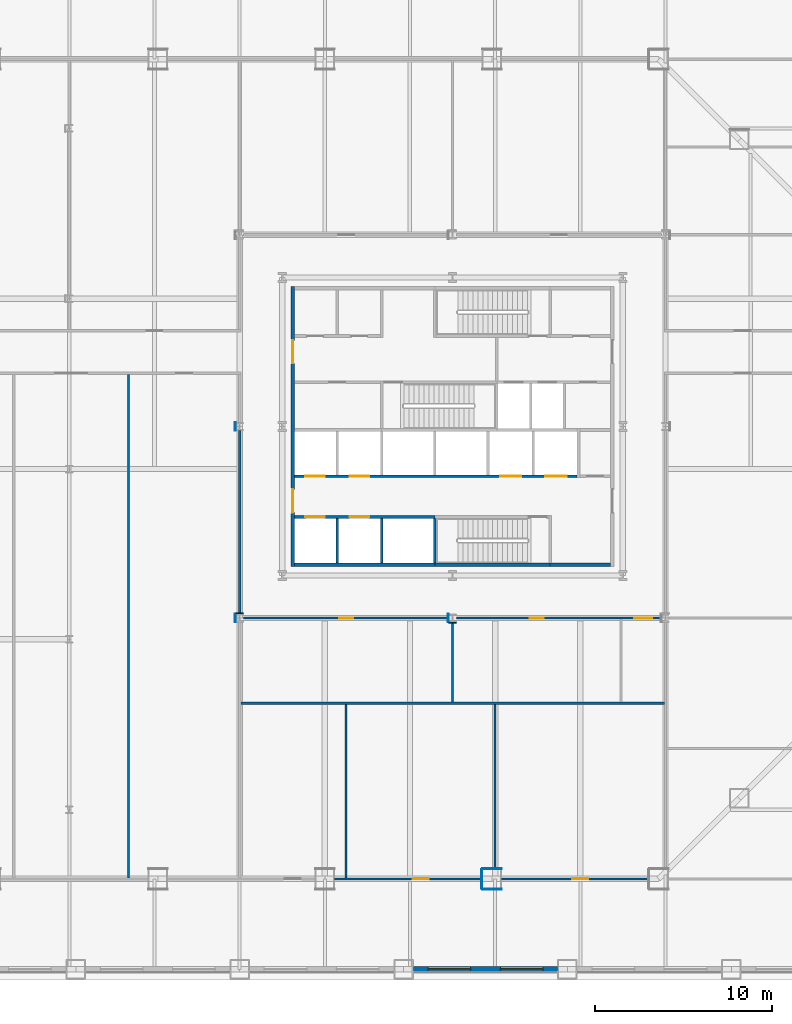
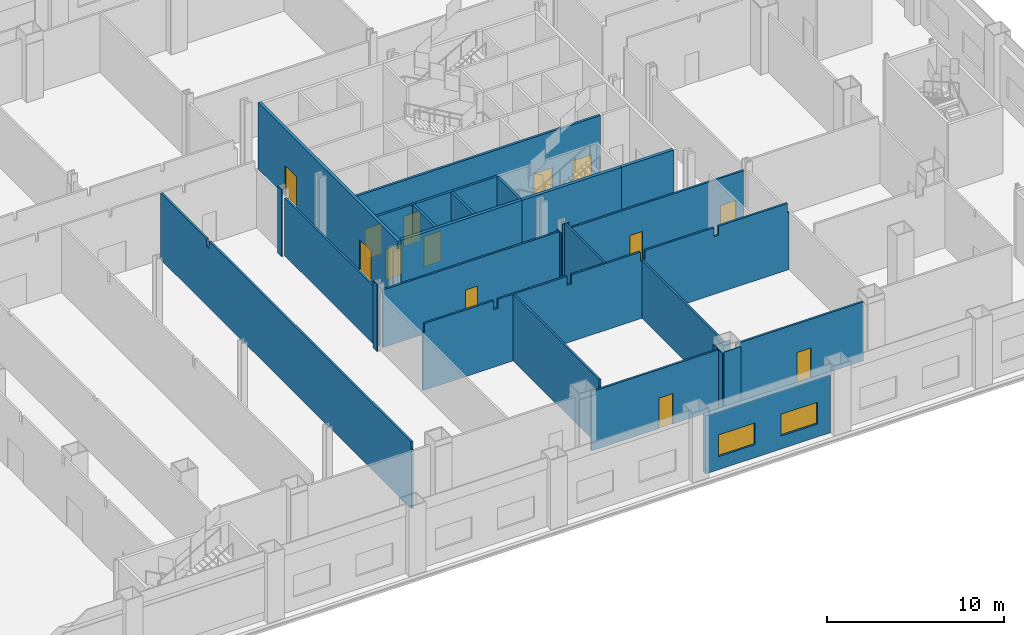
# One storey, part 13 of 26: 28 walls, 13 doors, 2 windows, 15 openings.
"""IFC4 building model written with IfcOpenShell, lengths in metres."""

from ifc_helpers import new_model, si_unit, direction, frame, frame_2d, origin, place, context, subcontext, project, spatial, polyline, rectangle, outline, extrude, material, layer, layer_set, type_object, element, fill, save


model = new_model("IFC4")

# Units and contexts
model_context = context("Model", 3, precision=1e-05, world=origin(), true_north=direction((0.0, 1.0)))
body_context = subcontext(model_context, "Body", "Model", "MODEL_VIEW")
ifc_project = project(units=[si_unit("LENGTHUNIT", "METRE"), si_unit("AREAUNIT", "SQUARE_METRE"), si_unit("VOLUMEUNIT", "CUBIC_METRE"), si_unit("PLANEANGLEUNIT", "RADIAN"), si_unit("MASSUNIT", "GRAM", prefix="KILO")], contexts=[model_context])

# Site, building, storey
site_placement = place(None, origin())
site = spatial("IfcSite", under=ifc_project, at=site_placement, CompositionType="ELEMENT")
building_placement = place(site_placement, origin())
building = spatial("IfcBuilding", under=site, at=building_placement, Name="Cairn Pilgrim Tower", CompositionType="ELEMENT")
storey_placement = place(building_placement, frame((0.0, 0.0, 25.800048828125)))
storey = spatial("IfcBuildingStorey", under=building, at=storey_placement, Name="L04", CompositionType="ELEMENT", Elevation=25.800048828125)

# Walls
ifc_material_1 = material(Name="Concrete C32/40", Category="concrete")
ifc_layer_1 = layer(ifc_material_1, 0.199951171875)
ifc_layer_set_1 = layer_set([ifc_layer_1], Name="CORE OUTER WALL 200 EI 120")
wall_type_1 = type_object("IfcWallType", Name="CORE OUTER WALL 200 EI 120", PredefinedType="SOLIDWALL", material=ifc_layer_set_1)
wall_1_placement = place(storey_placement, frame((-1.699951171875, -5.39990234375, 0.0), z_axis=(0.0, 0.0, 1.0), x_axis=(1.0, 0.0, 0.0)))
element("IfcWall", 1, at=wall_1_placement, inside=storey, type_object=wall_type_1, Name="CW:L04:H01-1", PredefinedType="SOLIDWALL", context=body_context, shape_type="SweptSolid", body=[
    extrude(rectangle(XDim=7.89990234375, YDim=0.199951171875, at=frame_2d((3.949951171875, 0.0))), origin(), (0.0, 0.0, 1.0), 4.599853515625),
])
wall_2_placement = place(storey_placement, frame((12.699951171875, -5.39990234375, 0.0), z_axis=(0.0, 0.0, 1.0), x_axis=(1.0, 0.0, 0.0)))
element("IfcWall", 2, at=wall_2_placement, inside=storey, type_object=wall_type_1, Name="CW:L04:H01-3", PredefinedType="SOLIDWALL", context=body_context, shape_type="SweptSolid", body=[
    extrude(rectangle(XDim=3.400146484375, YDim=0.199951171875, at=frame_2d((1.7001953125, 0.0))), origin(), (0.0, 0.0, 1.0), 4.599853515625),
])

# Wall, openings, doors
wall_3_placement = place(storey_placement, frame((-1.800048828125, -5.5, 0.0), z_axis=(0.0, 0.0, 1.0), x_axis=(0.0, 1.0, 0.0)))
wall_3 = element("IfcWall", 3, at=wall_3_placement, inside=storey, type_object=wall_type_1, Name="CW:L04:V12", PredefinedType="SOLIDWALL", context=body_context, shape_type="SweptSolid", body=[
    extrude(rectangle(XDim=15.800048828125, YDim=0.199951171875, at=frame_2d((7.89990234375, 0.0))), origin(), (0.0, 0.0, 1.0), 4.599853515625),
])
opening_1_placement = place(wall_3_placement, frame((3.050048828125, 0.0, 0.0)))
opening_1 = element("IfcOpeningElement", 4, at=opening_1_placement, cuts=wall_3, Name="Opening CD-W1", PredefinedType="OPENING", context=body_context, shape_type="SweptSolid", body=[
    extrude(rectangle(XDim=1.300048828125, YDim=2.10009765625, at=frame_2d((0.64990234375, 1.050048828125))), frame((0.0, 0.10986328125, 0.0), z_axis=(0.0, -1.0, 0.0), x_axis=(1.0, 0.0, 0.0)), (0.0, 0.0, 1.0), 0.219970703125),
])
opening_2_placement = place(wall_3_placement, frame((11.449951171875, 0.0, 0.0)))
opening_2 = element("IfcOpeningElement", 5, at=opening_2_placement, cuts=wall_3, Name="Opening CD-W2", PredefinedType="OPENING", context=body_context, shape_type="SweptSolid", body=[
    extrude(rectangle(XDim=1.300048828125, YDim=2.10009765625, at=frame_2d((0.64990234375, 1.050048828125))), frame((0.0, 0.10986328125, 0.0), z_axis=(0.0, -1.0, 0.0), x_axis=(1.0, 0.0, 0.0)), (0.0, 0.0, 1.0), 0.219970703125),
])
ifc_material_2 = material(Name="Painted steel", Category="steel")
door_type_1 = type_object("IfcDoorType", Name="CORE LOBBY DOOR 1300x2100", OperationType="DOUBLE_DOOR_SINGLE_SWING", PredefinedType="DOOR", material=ifc_material_2)
door_1_placement = place(opening_1_placement, origin())
door_1 = element("IfcDoor", 6, at=door_1_placement, inside=storey, type_object=door_type_1, Name="CD-W1", OperationType="DOUBLE_DOOR_SINGLE_SWING", OverallHeight=2.10009765625, OverallWidth=1.300048828125, PredefinedType="DOOR", context=body_context, shape_type="SweptSolid", body=[
    extrude(rectangle(XDim=1.300048828125, YDim=2.10009765625, at=frame_2d((0.64990234375, 1.050048828125))), frame((0.0, 0.02490234375, 0.0), z_axis=(0.0, -1.0, 0.0), x_axis=(1.0, 0.0, 0.0)), (0.0, 0.0, 1.0), 0.050048828125),
])
fill(opening_1, door_1)
door_2_placement = place(opening_2_placement, origin())
door_2 = element("IfcDoor", 7, at=door_2_placement, inside=storey, type_object=door_type_1, Name="CD-W2", OperationType="DOUBLE_DOOR_SINGLE_SWING", OverallHeight=2.10009765625, OverallWidth=1.300048828125, PredefinedType="DOOR", context=body_context, shape_type="SweptSolid", body=[
    extrude(rectangle(XDim=1.300048828125, YDim=2.10009765625, at=frame_2d((0.64990234375, 1.050048828125))), frame((0.0, 0.02490234375, 0.0), z_axis=(0.0, -1.0, 0.0), x_axis=(1.0, 0.0, 0.0)), (0.0, 0.0, 1.0), 0.050048828125),
])
fill(opening_2, door_2)

ifc_layer_2 = layer(ifc_material_1, 0.14990234375)
ifc_layer_set_2 = layer_set([ifc_layer_2], Name="CORE SHAFT WALL 150 EI 120")
wall_type_2 = type_object("IfcWallType", Name="CORE SHAFT WALL 150 EI 120", PredefinedType="SOLIDWALL", material=ifc_layer_set_2)
wall_4_placement = place(storey_placement, frame((-1.699951171875, -2.699951171875, 0.0), z_axis=(0.0, 0.0, 1.0), x_axis=(1.0, 0.0, 0.0)))
wall_4 = element("IfcWall", 8, at=wall_4_placement, inside=storey, type_object=wall_type_2, Name="CW:L04:H02-1", PredefinedType="SOLIDWALL", context=body_context, shape_type="SweptSolid", body=[
    extrude(rectangle(XDim=7.89990234375, YDim=0.14990234375, at=frame_2d((3.949951171875, 0.0))), origin(), (0.0, 0.0, 1.0), 4.599853515625),
])
opening_3_placement = place(wall_4_placement, frame((0.60009765625, 0.0, 0.0)))
opening_3 = element("IfcOpeningElement", 9, at=opening_3_placement, cuts=wall_4, Name="Opening LD-LR1", PredefinedType="OPENING", context=body_context, shape_type="SweptSolid", body=[
    extrude(rectangle(XDim=1.10009765625, YDim=2.10009765625, at=frame_2d((0.550048828125, 1.050048828125))), frame((0.0, 0.0849609375, 0.0), z_axis=(0.0, -1.0, 0.0), x_axis=(1.0, 0.0, 0.0)), (0.0, 0.0, 1.0), 0.169921875),
])
opening_4_placement = place(wall_4_placement, frame((3.10009765625, 0.0, 0.0)))
opening_4 = element("IfcOpeningElement", 10, at=opening_4_placement, cuts=wall_4, Name="Opening LD-LR2", PredefinedType="OPENING", context=body_context, shape_type="SweptSolid", body=[
    extrude(rectangle(XDim=1.10009765625, YDim=2.10009765625, at=frame_2d((0.550048828125, 1.050048828125))), frame((0.0, 0.0849609375, 0.0), z_axis=(0.0, -1.0, 0.0), x_axis=(1.0, 0.0, 0.0)), (0.0, 0.0, 1.0), 0.169921875),
])
ifc_material_3 = material(Name="Stainless steel", Category="steel")
door_type_2 = type_object("IfcDoorType", Name="LIFT LANDING DOOR 1100x2100", OperationType="DOUBLE_DOOR_SLIDING", PredefinedType="DOOR", material=ifc_material_3)
door_3_placement = place(opening_3_placement, origin())
door_3 = element("IfcDoor", 11, at=door_3_placement, inside=storey, type_object=door_type_2, Name="LANDING DOOR LR1", OperationType="DOUBLE_DOOR_SLIDING", OverallHeight=2.10009765625, OverallWidth=1.10009765625, PredefinedType="DOOR", context=body_context, shape_type="SweptSolid", body=[
    extrude(rectangle(XDim=1.10009765625, YDim=2.10009765625, at=frame_2d((0.550048828125, 1.050048828125))), frame((0.0, 0.02490234375, 0.0), z_axis=(0.0, -1.0, 0.0), x_axis=(1.0, 0.0, 0.0)), (0.0, 0.0, 1.0), 0.050048828125),
])
fill(opening_3, door_3)
door_4_placement = place(opening_4_placement, origin())
door_4 = element("IfcDoor", 12, at=door_4_placement, inside=storey, type_object=door_type_2, Name="LANDING DOOR LR2", OperationType="DOUBLE_DOOR_SLIDING", OverallHeight=2.10009765625, OverallWidth=1.10009765625, PredefinedType="DOOR", context=body_context, shape_type="SweptSolid", body=[
    extrude(rectangle(XDim=1.10009765625, YDim=2.10009765625, at=frame_2d((0.550048828125, 1.050048828125))), frame((0.0, 0.02490234375, 0.0), z_axis=(0.0, -1.0, 0.0), x_axis=(1.0, 0.0, 0.0)), (0.0, 0.0, 1.0), 0.050048828125),
])
fill(opening_4, door_4)

wall_5_placement = place(storey_placement, frame((-1.699951171875, -0.39990234375, 0.0), z_axis=(0.0, 0.0, 1.0), x_axis=(1.0, 0.0, 0.0)))
wall_5 = element("IfcWall", 13, at=wall_5_placement, inside=storey, type_object=wall_type_2, Name="CW:L04:H03", PredefinedType="SOLIDWALL", context=body_context, shape_type="SweptSolid", body=[
    extrude(rectangle(XDim=15.925048828125, YDim=0.14990234375, at=frame_2d((7.96240234375, 0.0))), origin(), (0.0, 0.0, 1.0), 4.599853515625),
])
opening_5_placement = place(wall_5_placement, frame((0.60009765625, 0.0, 0.0)))
opening_5 = element("IfcOpeningElement", 14, at=opening_5_placement, cuts=wall_5, Name="Opening LD-LR3", PredefinedType="OPENING", context=body_context, shape_type="SweptSolid", body=[
    extrude(rectangle(XDim=1.10009765625, YDim=2.10009765625, at=frame_2d((0.550048828125, 1.050048828125))), frame((0.0, 0.0849609375, 0.0), z_axis=(0.0, -1.0, 0.0), x_axis=(1.0, 0.0, 0.0)), (0.0, 0.0, 1.0), 0.169921875),
])
opening_6_placement = place(wall_5_placement, frame((3.10009765625, 0.0, 0.0)))
opening_6 = element("IfcOpeningElement", 15, at=opening_6_placement, cuts=wall_5, Name="Opening LD-LR4", PredefinedType="OPENING", context=body_context, shape_type="SweptSolid", body=[
    extrude(rectangle(XDim=1.10009765625, YDim=2.10009765625, at=frame_2d((0.550048828125, 1.050048828125))), frame((0.0, 0.0849609375, 0.0), z_axis=(0.0, -1.0, 0.0), x_axis=(1.0, 0.0, 0.0)), (0.0, 0.0, 1.0), 0.169921875),
])
opening_7_placement = place(wall_5_placement, frame((11.574951171875, 0.0, 0.0)))
opening_7 = element("IfcOpeningElement", 16, at=opening_7_placement, cuts=wall_5, Name="Opening LD-SV1", PredefinedType="OPENING", context=body_context, shape_type="SweptSolid", body=[
    extrude(rectangle(XDim=1.199951171875, YDim=2.10009765625, at=frame_2d((0.60009765625, 1.050048828125))), frame((0.0, 0.0849609375, 0.0), z_axis=(0.0, -1.0, 0.0), x_axis=(1.0, 0.0, 0.0)), (0.0, 0.0, 1.0), 0.169921875),
])
opening_8_placement = place(wall_5_placement, frame((14.125, 0.0, 0.0)))
opening_8 = element("IfcOpeningElement", 17, at=opening_8_placement, cuts=wall_5, Name="Opening LD-SV2", PredefinedType="OPENING", context=body_context, shape_type="SweptSolid", body=[
    extrude(rectangle(XDim=1.199951171875, YDim=2.10009765625, at=frame_2d((0.60009765625, 1.050048828125))), frame((0.0, 0.0849609375, 0.0), z_axis=(0.0, -1.0, 0.0), x_axis=(1.0, 0.0, 0.0)), (0.0, 0.0, 1.0), 0.169921875),
])
door_5_placement = place(opening_5_placement, origin())
door_5 = element("IfcDoor", 18, at=door_5_placement, inside=storey, type_object=door_type_2, Name="LANDING DOOR LR3", OperationType="DOUBLE_DOOR_SLIDING", OverallHeight=2.10009765625, OverallWidth=1.10009765625, PredefinedType="DOOR", context=body_context, shape_type="SweptSolid", body=[
    extrude(rectangle(XDim=1.10009765625, YDim=2.10009765625, at=frame_2d((0.550048828125, 1.050048828125))), frame((0.0, 0.02490234375, 0.0), z_axis=(0.0, -1.0, 0.0), x_axis=(1.0, 0.0, 0.0)), (0.0, 0.0, 1.0), 0.050048828125),
])
fill(opening_5, door_5)
door_6_placement = place(opening_6_placement, origin())
door_6 = element("IfcDoor", 19, at=door_6_placement, inside=storey, type_object=door_type_2, Name="LANDING DOOR LR4", OperationType="DOUBLE_DOOR_SLIDING", OverallHeight=2.10009765625, OverallWidth=1.10009765625, PredefinedType="DOOR", context=body_context, shape_type="SweptSolid", body=[
    extrude(rectangle(XDim=1.10009765625, YDim=2.10009765625, at=frame_2d((0.550048828125, 1.050048828125))), frame((0.0, 0.02490234375, 0.0), z_axis=(0.0, -1.0, 0.0), x_axis=(1.0, 0.0, 0.0)), (0.0, 0.0, 1.0), 0.050048828125),
])
fill(opening_6, door_6)
door_type_3 = type_object("IfcDoorType", Name="LIFT LANDING DOOR 1200x2100", OperationType="DOUBLE_DOOR_SLIDING", PredefinedType="DOOR", material=ifc_material_3)
door_7_placement = place(opening_7_placement, origin())
door_7 = element("IfcDoor", 20, at=door_7_placement, inside=storey, type_object=door_type_3, Name="LANDING DOOR SV1", OperationType="DOUBLE_DOOR_SLIDING", OverallHeight=2.10009765625, OverallWidth=1.199951171875, PredefinedType="DOOR", context=body_context, shape_type="SweptSolid", body=[
    extrude(rectangle(XDim=1.199951171875, YDim=2.10009765625, at=frame_2d((0.60009765625, 1.050048828125))), frame((0.0, 0.02490234375, 0.0), z_axis=(0.0, -1.0, 0.0), x_axis=(1.0, 0.0, 0.0)), (0.0, 0.0, 1.0), 0.050048828125),
])
fill(opening_7, door_7)
door_8_placement = place(opening_8_placement, origin())
door_8 = element("IfcDoor", 21, at=door_8_placement, inside=storey, type_object=door_type_3, Name="LANDING DOOR SV2", OperationType="DOUBLE_DOOR_SLIDING", OverallHeight=2.10009765625, OverallWidth=1.199951171875, PredefinedType="DOOR", context=body_context, shape_type="SweptSolid", body=[
    extrude(rectangle(XDim=1.199951171875, YDim=2.10009765625, at=frame_2d((0.60009765625, 1.050048828125))), frame((0.0, 0.02490234375, 0.0), z_axis=(0.0, -1.0, 0.0), x_axis=(1.0, 0.0, 0.0)), (0.0, 0.0, 1.0), 0.050048828125),
])
fill(opening_8, door_8)

# Walls
for number, where, z_axis, x_axis, name in (
    (22, (0.699951171875, -5.300048828125, 0.0), (0.0, 0.0, 1.0), (0.0, 1.0, 0.0), "CW:L04:V13"),
    (23, (3.199951171875, -5.300048828125, 0.0), (0.0, 0.0, 1.0), (0.0, 1.0, 0.0), "CW:L04:V16"),
):
    element("IfcWall", number, at=place(storey_placement, frame(where, z_axis=z_axis, x_axis=x_axis)), inside=storey, type_object=wall_type_2, Name=name, PredefinedType="SOLIDWALL", context=body_context, shape_type="SweptSolid", body=[
        extrude(rectangle(XDim=2.525146484375, YDim=0.14990234375, at=frame_2d((1.2626953125, 0.0))), origin(), (0.0, 0.0, 1.0), 4.599853515625),
    ])

# Wall, opening, door
ifc_material_4 = material(Name="Gypsum partition")
ifc_layer_3 = layer(ifc_material_4, 0.125)
ifc_layer_set_3 = layer_set([ifc_layer_3], Name="PARTITION 125 DRYWALL EI 60")
wall_type_3 = type_object("IfcWallType", Name="PARTITION 125 DRYWALL EI 60", PredefinedType="PARTITIONING", material=ifc_layer_set_3)
wall_6_placement = place(storey_placement, frame((0.550048828125, -23.10009765625, 0.0), z_axis=(0.0, 0.0, 1.0), x_axis=(1.0, 0.0, 0.0)))
wall_6 = element("IfcWall", 24, at=wall_6_placement, inside=storey, type_object=wall_type_3, Name="PARTITION W011", PredefinedType="PARTITIONING", context=body_context, shape_type="SweptSolid", body=[
    extrude(rectangle(XDim=8.3134765625, YDim=0.125, at=frame_2d((4.15673828125, 0.0))), origin(), (0.0, 0.0, 1.0), 4.079833984375),
])
opening_9_placement = place(wall_6_placement, frame((4.39990234375, 0.0, 0.0)))
opening_9 = element("IfcOpeningElement", 25, at=opening_9_placement, cuts=wall_6, Name="Opening 0412", PredefinedType="OPENING", context=body_context, shape_type="SweptSolid", body=[
    extrude(rectangle(XDim=0.89990234375, YDim=2.10009765625, at=frame_2d((0.449951171875, 1.050048828125))), frame((0.0, 0.072509765625, 0.0), z_axis=(0.0, -1.0, 0.0), x_axis=(1.0, 0.0, 0.0)), (0.0, 0.0, 1.0), 0.14501953125),
])
ifc_material_5 = material(Name="Timber door leaf", Category="wood")
door_type_4 = type_object("IfcDoorType", Name="SERVICE DOOR 900x2100 FD30S", OperationType="NOTDEFINED", PredefinedType="DOOR", material=ifc_material_5)
door_9_placement = place(opening_9_placement, frame((0.89990234375, 0.0, 0.0), z_axis=(0.0, 0.0, 1.0), x_axis=(-1.0, 0.0, 0.0)))
door_9 = element("IfcDoor", 26, at=door_9_placement, inside=storey, type_object=door_type_4, Name="DOOR 0412", OperationType="SINGLE_SWING_LEFT", OverallHeight=2.10009765625, OverallWidth=0.89990234375, PredefinedType="DOOR", context=body_context, shape_type="SweptSolid", body=[
    extrude(rectangle(XDim=0.89990234375, YDim=2.10009765625, at=frame_2d((0.449951171875, 1.050048828125))), frame((0.0, 0.02490234375, 0.0), z_axis=(0.0, -1.0, 0.0), x_axis=(1.0, 0.0, 0.0)), (0.0, 0.0, 1.0), 0.050048828125),
])
fill(opening_9, door_9)

wall_7_placement = place(storey_placement, frame((9.963623046875, -23.10009765625, 0.0), z_axis=(0.0, 0.0, 1.0), x_axis=(1.0, 0.0, 0.0)))
wall_7 = element("IfcWall", 27, at=wall_7_placement, inside=storey, type_object=wall_type_3, Name="PARTITION W012", PredefinedType="PARTITIONING", context=body_context, shape_type="SweptSolid", body=[
    extrude(rectangle(XDim=8.3134765625, YDim=0.125, at=frame_2d((4.15673828125, 0.0))), origin(), (0.0, 0.0, 1.0), 4.079833984375),
])
opening_10_placement = place(wall_7_placement, frame((3.986328125, 0.0, 0.0)))
opening_10 = element("IfcOpeningElement", 28, at=opening_10_placement, cuts=wall_7, Name="Opening 0413", PredefinedType="OPENING", context=body_context, shape_type="SweptSolid", body=[
    extrude(rectangle(XDim=0.89990234375, YDim=2.10009765625, at=frame_2d((0.449951171875, 1.050048828125))), frame((0.0, 0.072509765625, 0.0), z_axis=(0.0, -1.0, 0.0), x_axis=(1.0, 0.0, 0.0)), (0.0, 0.0, 1.0), 0.14501953125),
])
door_type_5 = type_object("IfcDoorType", Name="ROOM DOOR 900x2100 FD30S", OperationType="NOTDEFINED", PredefinedType="DOOR", material=ifc_material_5)
door_10_placement = place(opening_10_placement, frame((0.89990234375, 0.0, 0.0), z_axis=(0.0, 0.0, 1.0), x_axis=(-1.0, 0.0, 0.0)))
door_10 = element("IfcDoor", 29, at=door_10_placement, inside=storey, type_object=door_type_5, Name="DOOR 0413", OperationType="SINGLE_SWING_LEFT", OverallHeight=2.10009765625, OverallWidth=0.89990234375, PredefinedType="DOOR", context=body_context, shape_type="SweptSolid", body=[
    extrude(rectangle(XDim=0.89990234375, YDim=2.10009765625, at=frame_2d((0.449951171875, 1.050048828125))), frame((0.0, 0.02490234375, 0.0), z_axis=(0.0, -1.0, 0.0), x_axis=(1.0, 0.0, 0.0)), (0.0, 0.0, 1.0), 0.050048828125),
])
fill(opening_10, door_10)

# Walls
wall_8_placement = place(storey_placement, frame((-11.06494140625, -23.03759765625, 0.0), z_axis=(0.0, 0.0, 1.0), x_axis=(0.0, 1.0, 0.0)))
element("IfcWall", 30, at=wall_8_placement, inside=storey, type_object=wall_type_3, Name="PARTITION W016", PredefinedType="PARTITIONING", context=body_context, shape_type="SweptSolid", body=[
    extrude(outline(polyline([(0.0, 0.0), (28.375, 0.0), (28.375, 4.599853515625), (23.1875, 4.599853515625), (23.185546875, 4.079833984375), (22.887451171875, 4.079833984375), (22.885498046875, 4.599853515625), (0.08740234375, 4.599853515625), (0.08544921875, 4.079833984375), (0.0, 4.079833984375), (0.0, 0.0)])), frame((0.0, 0.0625, 0.0), z_axis=(0.0, -1.0, 0.0), x_axis=(1.0, 0.0, 0.0)), (0.0, 0.0, 1.0), 0.125),
])
wall_9_placement = place(storey_placement, frame((1.199951171875, -23.03759765625, 0.0), z_axis=(0.0, 0.0, 1.0), x_axis=(0.0, 1.0, 0.0)))
element("IfcWall", 31, at=wall_9_placement, inside=storey, type_object=wall_type_3, Name="PARTITION W018", PredefinedType="PARTITIONING", context=body_context, shape_type="SweptSolid", body=[
    extrude(outline(polyline([(0.0, 0.0), (9.775146484375, 0.0), (9.77490234375, 4.599853515625), (0.08740234375, 4.599853515625), (0.08544921875, 4.079833984375), (0.0, 4.079833984375), (0.0, 0.0)])), frame((0.0, 0.0625, 0.0), z_axis=(0.0, -1.0, 0.0), x_axis=(1.0, 0.0, 0.0)), (0.0, 0.0, 1.0), 0.125),
])
wall_10_placement = place(storey_placement, frame((9.60009765625, -22.550048828125, 0.0), z_axis=(0.0, 0.0, 1.0), x_axis=(0.0, 1.0, 0.0)))
element("IfcWall", 32, at=wall_10_placement, inside=storey, type_object=wall_type_3, Name="PARTITION W020", PredefinedType="PARTITIONING", context=body_context, shape_type="SweptSolid", body=[
    extrude(rectangle(XDim=9.28759765625, YDim=0.125, at=frame_2d((4.643798828125, 0.0))), origin(), (0.0, 0.0, 1.0), 3.97998046875),
])
wall_11_placement = place(storey_placement, frame((-4.737548828125, -13.199951171875, 0.0), z_axis=(0.0, 0.0, 1.0), x_axis=(1.0, 0.0, 0.0)))
element("IfcWall", 33, at=wall_11_placement, inside=storey, type_object=wall_type_3, Name="PARTITION W025", PredefinedType="PARTITIONING", context=body_context, shape_type="SweptSolid", body=[
    extrude(outline(polyline([(0.0, 0.0), (23.875, 0.0), (23.875, 3.97998046875), (23.78759765625, 3.97998046875), (23.785400390625, 4.599853515625), (19.28759765625, 4.599853515625), (19.285400390625, 3.97998046875), (18.987548828125, 3.97998046875), (18.985595703125, 4.599853515625), (14.487548828125, 4.599853515625), (14.485595703125, 3.97998046875), (14.1875, 3.97998046875), (14.185546875, 4.599853515625), (9.6875, 4.599853515625), (9.685546875, 3.97998046875), (9.387451171875, 3.97998046875), (9.385498046875, 4.599853515625), (4.887451171875, 4.599853515625), (4.885498046875, 3.97998046875), (4.58740234375, 3.97998046875), (4.58544921875, 4.599853515625), (0.08740234375, 4.599853515625), (0.08544921875, 3.97998046875), (0.0, 3.97998046875), (0.0, 0.0)])), frame((0.0, 0.0625, 0.0), z_axis=(0.0, -1.0, 0.0), x_axis=(1.0, 0.0, 0.0)), (0.0, 0.0, 1.0), 0.125),
])
wall_12_placement = place(storey_placement, frame((7.199951171875, -13.137451171875, 0.0), z_axis=(0.0, 0.0, 1.0), x_axis=(0.0, 1.0, 0.0)))
element("IfcWall", 34, at=wall_12_placement, inside=storey, type_object=wall_type_3, Name="PARTITION W026", PredefinedType="PARTITIONING", context=body_context, shape_type="SweptSolid", body=[
    extrude(rectangle(XDim=4.50048828125, YDim=0.125, at=frame_2d((2.250244140625, 0.0))), origin(), (0.0, 0.0, 1.0), 4.599853515625),
])

# Wall, opening, door
wall_13_placement = place(storey_placement, frame((-4.587890625, -8.39990234375, 0.0), z_axis=(0.0, 0.0, 1.0), x_axis=(1.0, 0.0, 0.0)))
wall_13 = element("IfcWall", 35, at=wall_13_placement, inside=storey, type_object=wall_type_3, Name="PARTITION W031", PredefinedType="PARTITIONING", context=body_context, shape_type="SweptSolid", body=[
    extrude(rectangle(XDim=11.575927734375, YDim=0.125, at=frame_2d((5.7880859375, 0.0))), origin(), (0.0, 0.0, 1.0), 3.97998046875),
])
opening_11_placement = place(wall_13_placement, frame((5.387939453125, 0.0, 0.0)))
opening_11 = element("IfcOpeningElement", 36, at=opening_11_placement, cuts=wall_13, Name="Opening 0408", PredefinedType="OPENING", context=body_context, shape_type="SweptSolid", body=[
    extrude(rectangle(XDim=0.800048828125, YDim=2.10009765625, at=frame_2d((0.39990234375, 1.050048828125))), frame((0.0, 0.072509765625, 0.0), z_axis=(0.0, -1.0, 0.0), x_axis=(1.0, 0.0, 0.0)), (0.0, 0.0, 1.0), 0.14501953125),
])
door_type_6 = type_object("IfcDoorType", Name="WC DOOR 800x2100 FD30S", OperationType="NOTDEFINED", PredefinedType="DOOR", material=ifc_material_5)
door_11_placement = place(opening_11_placement, origin())
door_11 = element("IfcDoor", 37, at=door_11_placement, inside=storey, type_object=door_type_6, Name="DOOR 0408", OperationType="SINGLE_SWING_LEFT", OverallHeight=2.10009765625, OverallWidth=0.800048828125, PredefinedType="DOOR", context=body_context, shape_type="SweptSolid", body=[
    extrude(rectangle(XDim=0.800048828125, YDim=2.10009765625, at=frame_2d((0.39990234375, 1.050048828125))), frame((0.0, 0.02490234375, 0.0), z_axis=(0.0, -1.0, 0.0), x_axis=(1.0, 0.0, 0.0)), (0.0, 0.0, 1.0), 0.050048828125),
])
fill(opening_11, door_11)

# Wall, openings, doors
wall_14_placement = place(storey_placement, frame((7.412109375, -8.39990234375, 0.0), z_axis=(0.0, 0.0, 1.0), x_axis=(1.0, 0.0, 0.0)))
wall_14 = element("IfcWall", 38, at=wall_14_placement, inside=storey, type_object=wall_type_3, Name="PARTITION W032", PredefinedType="PARTITIONING", context=body_context, shape_type="SweptSolid", body=[
    extrude(rectangle(XDim=11.575927734375, YDim=0.125, at=frame_2d((5.7880859375, 0.0))), origin(), (0.0, 0.0, 1.0), 3.97998046875),
])
opening_12_placement = place(wall_14_placement, frame((4.137939453125, 0.0, 0.0)))
opening_12 = element("IfcOpeningElement", 39, at=opening_12_placement, cuts=wall_14, Name="Opening 0409", PredefinedType="OPENING", context=body_context, shape_type="SweptSolid", body=[
    extrude(rectangle(XDim=0.800048828125, YDim=2.10009765625, at=frame_2d((0.39990234375, 1.050048828125))), frame((0.0, 0.072509765625, 0.0), z_axis=(0.0, -1.0, 0.0), x_axis=(1.0, 0.0, 0.0)), (0.0, 0.0, 1.0), 0.14501953125),
])
opening_13_placement = place(wall_14_placement, frame((10.0380859375, 0.0, 0.0)))
opening_13 = element("IfcOpeningElement", 40, at=opening_13_placement, cuts=wall_14, Name="Opening 0410", PredefinedType="OPENING", context=body_context, shape_type="SweptSolid", body=[
    extrude(rectangle(XDim=1.0, YDim=2.10009765625, at=frame_2d((0.5, 1.050048828125))), frame((0.0, 0.072509765625, 0.0), z_axis=(0.0, -1.0, 0.0), x_axis=(1.0, 0.0, 0.0)), (0.0, 0.0, 1.0), 0.14501953125),
])
door_type_7 = type_object("IfcDoorType", Name="ACCESSIBLE DOOR 1000x2100 FD30S", OperationType="NOTDEFINED", PredefinedType="DOOR", material=ifc_material_5)
door_12_placement = place(opening_13_placement, origin())
door_12 = element("IfcDoor", 41, at=door_12_placement, inside=storey, type_object=door_type_7, Name="DOOR 0410", OperationType="SINGLE_SWING_RIGHT", OverallHeight=2.10009765625, OverallWidth=1.0, PredefinedType="DOOR", context=body_context, shape_type="SweptSolid", body=[
    extrude(rectangle(XDim=1.0, YDim=2.10009765625, at=frame_2d((0.5, 1.050048828125))), frame((0.0, 0.02490234375, 0.0), z_axis=(0.0, -1.0, 0.0), x_axis=(1.0, 0.0, 0.0)), (0.0, 0.0, 1.0), 0.050048828125),
])
fill(opening_13, door_12)
door_13_placement = place(opening_12_placement, origin())
door_13 = element("IfcDoor", 42, at=door_13_placement, inside=storey, type_object=door_type_6, Name="DOOR 0409", OperationType="SINGLE_SWING_RIGHT", OverallHeight=2.10009765625, OverallWidth=0.800048828125, PredefinedType="DOOR", context=body_context, shape_type="SweptSolid", body=[
    extrude(rectangle(XDim=0.800048828125, YDim=2.10009765625, at=frame_2d((0.39990234375, 1.050048828125))), frame((0.0, 0.02490234375, 0.0), z_axis=(0.0, -1.0, 0.0), x_axis=(1.0, 0.0, 0.0)), (0.0, 0.0, 1.0), 0.050048828125),
])
fill(opening_12, door_13)

# Walls
wall_15_placement = place(storey_placement, frame((-4.800048828125, -8.1630859375, 0.0), z_axis=(0.0, 0.0, 1.0), x_axis=(0.0, 1.0, 0.0)))
element("IfcWall", 43, at=wall_15_placement, inside=storey, type_object=wall_type_3, Name="PARTITION W034", PredefinedType="PARTITIONING", context=body_context, shape_type="SweptSolid", body=[
    extrude(rectangle(XDim=10.326171875, YDim=0.125, at=frame_2d((5.1630859375, 0.0))), origin(), (0.0, 0.0, 1.0), 3.97998046875),
])
ifc_layer_4 = layer(ifc_material_4, 0.050048828125)
ifc_layer_set_4 = layer_set([ifc_layer_4], Name="PARTITION 50 DRYWALL EI 60")
wall_type_4 = type_object("IfcWallType", Name="PARTITION 50 DRYWALL EI 60", PredefinedType="PARTITIONING", material=ifc_layer_set_4)
wall_16_placement = place(storey_placement, frame((8.863525390625, -22.52490234375, 0.0), z_axis=(0.0, 0.0, 1.0), x_axis=(1.0, 0.0, 0.0)))
element("IfcWall", 44, at=wall_16_placement, inside=storey, type_object=wall_type_4, Name="COLUMN CASING WC07", PredefinedType="PARTITIONING", context=body_context, shape_type="SweptSolid", body=[
    extrude(rectangle(XDim=1.10009765625, YDim=0.050048828125, at=frame_2d((0.550048828125, 0.0))), origin(), (0.0, 0.0, 1.0), 3.97998046875),
])
wall_17_placement = place(storey_placement, frame((8.863525390625, -23.675048828125, 0.0), z_axis=(0.0, 0.0, 1.0), x_axis=(1.0, 0.0, 0.0)))
element("IfcWall", 45, at=wall_17_placement, inside=storey, type_object=wall_type_4, Name="COLUMN CASING WC08", PredefinedType="PARTITIONING", context=body_context, shape_type="SweptSolid", body=[
    extrude(rectangle(XDim=1.10009765625, YDim=0.050048828125, at=frame_2d((0.550048828125, 0.0))), origin(), (0.0, 0.0, 1.0), 4.219970703125),
])
wall_18_placement = place(storey_placement, frame((-5.037109375, -8.636962890625, 0.0), z_axis=(0.0, 0.0, 1.0), x_axis=(0.0, 1.0, 0.0)))
element("IfcWall", 46, at=wall_18_placement, inside=storey, type_object=wall_type_4, Name="COLUMN CASING WC11", PredefinedType="PARTITIONING", context=body_context, shape_type="SweptSolid", body=[
    extrude(rectangle(XDim=0.473876953125, YDim=0.050048828125, at=frame_2d((0.23681640625, 0.0))), origin(), (0.0, 0.0, 1.0), 4.599853515625),
])
wall_19_placement = place(storey_placement, frame((8.838623046875, -23.64990234375, 0.0), z_axis=(0.0, 0.0, 1.0), x_axis=(0.0, 1.0, 0.0)))
element("IfcWall", 47, at=wall_19_placement, inside=storey, type_object=wall_type_4, Name="COLUMN CASING WC12", PredefinedType="PARTITIONING", context=body_context, shape_type="SweptSolid", body=[
    extrude(rectangle(XDim=1.099853515625, YDim=0.050048828125, at=frame_2d((0.5498046875, 0.0))), origin(), (0.0, 0.0, 1.0), 4.079833984375),
])
wall_20_placement = place(storey_placement, frame((6.962890625, -8.636962890625, 0.0), z_axis=(0.0, 0.0, 1.0), x_axis=(0.0, 1.0, 0.0)))
element("IfcWall", 48, at=wall_20_placement, inside=storey, type_object=wall_type_4, Name="COLUMN CASING WC21", PredefinedType="PARTITIONING", context=body_context, shape_type="SweptSolid", body=[
    extrude(rectangle(XDim=0.473876953125, YDim=0.050048828125, at=frame_2d((0.23681640625, 0.0))), origin(), (0.0, 0.0, 1.0), 3.97998046875),
])
wall_21_placement = place(storey_placement, frame((-5.037109375, 2.1630859375, 0.0), z_axis=(0.0, 0.0, 1.0), x_axis=(0.0, 1.0, 0.0)))
element("IfcWall", 49, at=wall_21_placement, inside=storey, type_object=wall_type_4, Name="COLUMN CASING WC22", PredefinedType="PARTITIONING", context=body_context, shape_type="SweptSolid", body=[
    extrude(rectangle(XDim=0.473876953125, YDim=0.050048828125, at=frame_2d((0.23681640625, 0.0))), origin(), (0.0, 0.0, 1.0), 4.599853515625),
])
wall_22_placement = place(storey_placement, frame((-5.011962890625, -8.137939453125, 0.0), z_axis=(0.0, 0.0, 1.0), x_axis=(1.0, 0.0, 0.0)))
element("IfcWall", 50, at=wall_22_placement, inside=storey, type_object=wall_type_4, Name="COLUMN CASING WC23", PredefinedType="PARTITIONING", context=body_context, shape_type="SweptSolid", body=[
    extrude(rectangle(XDim=0.424072265625, YDim=0.050048828125, at=frame_2d((0.2119140625, 0.0))), origin(), (0.0, 0.0, 1.0), 3.97998046875),
])
wall_23_placement = place(storey_placement, frame((6.988037109375, -8.662109375, 0.0), z_axis=(0.0, 0.0, 1.0), x_axis=(1.0, 0.0, 0.0)))
element("IfcWall", 51, at=wall_23_placement, inside=storey, type_object=wall_type_4, Name="COLUMN CASING WC24", PredefinedType="PARTITIONING", context=body_context, shape_type="SweptSolid", body=[
    extrude(rectangle(XDim=0.424072265625, YDim=0.050048828125, at=frame_2d((0.2119140625, 0.0))), origin(), (0.0, 0.0, 1.0), 4.599853515625),
])

# Wall, openings, windows
ifc_material_6 = material(Name="Concrete C35/45 backup wall with bronze aluminium cladding", Category="concrete")
ifc_layer_5 = layer(ifc_material_6, 0.300048828125)
ifc_layer_set_5 = layer_set([ifc_layer_5], Name="PODIUM WALL 300 BRONZE-CLAD")
wall_type_5 = type_object("IfcWallType", Name="PODIUM WALL 300 BRONZE-CLAD", PredefinedType="SOLIDWALL", material=ifc_layer_set_5)
wall_24_placement = place(storey_placement, frame((4.98779296875, -28.199951171875, 0.0), z_axis=(0.0, 0.0, 1.0), x_axis=(1.0, 0.0, 0.0)))
wall_24 = element("IfcWall", 52, at=wall_24_placement, inside=storey, type_object=wall_type_5, Name="PODIUM EXTERNAL WALL S6-S7", PredefinedType="SOLIDWALL", context=body_context, shape_type="SweptSolid", body=[
    extrude(rectangle(XDim=8.137939453125, YDim=0.300048828125, at=frame_2d((4.06884765625, 0.0))), origin(), (0.0, 0.0, 1.0), 4.0),
])
opening_14_placement = place(wall_24_placement, frame((0.83447265625, 0.0, 0.89990234375)))
opening_14 = element("IfcOpeningElement", 53, at=opening_14_placement, cuts=wall_24, Name="Opening PW15", PredefinedType="OPENING", context=body_context, shape_type="SweptSolid", body=[
    extrude(rectangle(XDim=2.39990234375, YDim=1.5, at=frame_2d((1.199951171875, 0.75))), frame((0.0, 0.16015625, 0.0), z_axis=(0.0, -1.0, 0.0), x_axis=(1.0, 0.0, 0.0)), (0.0, 0.0, 1.0), 0.320068359375),
])
opening_15_placement = place(wall_24_placement, frame((4.9033203125, 0.0, 0.89990234375)))
opening_15 = element("IfcOpeningElement", 54, at=opening_15_placement, cuts=wall_24, Name="Opening PW15", PredefinedType="OPENING", context=body_context, shape_type="SweptSolid", body=[
    extrude(rectangle(XDim=2.39990234375, YDim=1.5, at=frame_2d((1.199951171875, 0.75))), frame((0.0, 0.16015625, 0.0), z_axis=(0.0, -1.0, 0.0), x_axis=(1.0, 0.0, 0.0)), (0.0, 0.0, 1.0), 0.320068359375),
])
ifc_material_7 = material(Name="Bronze anodised aluminium frame with tinted low-E glass", Category="aluminium")
window_type = type_object("IfcWindowType", Name="PODIUM FIXED WINDOW 2400x1500", PartitioningType="SINGLE_PANEL", PredefinedType="WINDOW", material=ifc_material_7)
window_1_placement = place(opening_14_placement, origin())
window_1 = element("IfcWindow", 55, at=window_1_placement, inside=storey, type_object=window_type, Name="PODIUM WINDOW", OverallHeight=1.5, OverallWidth=2.39990234375, PartitioningType="SINGLE_PANEL", PredefinedType="WINDOW", context=body_context, shape_type="SweptSolid", body=[
    extrude(rectangle(XDim=2.39990234375, YDim=1.5, at=frame_2d((1.199951171875, 0.75))), frame((0.0, 0.030029296875, 0.0), z_axis=(0.0, -1.0, 0.0), x_axis=(1.0, 0.0, 0.0)), (0.0, 0.0, 1.0), 0.06005859375),
])
fill(opening_14, window_1)
window_2_placement = place(opening_15_placement, origin())
window_2 = element("IfcWindow", 56, at=window_2_placement, inside=storey, type_object=window_type, Name="PODIUM WINDOW", OverallHeight=1.5, OverallWidth=2.39990234375, PartitioningType="SINGLE_PANEL", PredefinedType="WINDOW", context=body_context, shape_type="SweptSolid", body=[
    extrude(rectangle(XDim=2.39990234375, YDim=1.5, at=frame_2d((1.199951171875, 0.75))), frame((0.0, 0.030029296875, 0.0), z_axis=(0.0, -1.0, 0.0), x_axis=(1.0, 0.0, 0.0)), (0.0, 0.0, 1.0), 0.06005859375),
])
fill(opening_15, window_2)

# Walls
ifc_material_8 = material(Name="Concrete C35/45", Category="concrete")
ifc_layer_6 = layer(ifc_material_8, 0.14990234375)
ifc_layer_set_6 = layer_set([ifc_layer_6], Name="STAIR SHAFT WALL 150 EI 120")
wall_type_6 = type_object("IfcWallType", Name="STAIR SHAFT WALL 150 EI 120", PredefinedType="SOLIDWALL", material=ifc_layer_set_6)
wall_25_placement = place(storey_placement, frame((6.199951171875, -5.300048828125, 0.0), z_axis=(0.0, 0.0, 1.0), x_axis=(0.0, 1.0, 0.0)))
element("IfcWall", 57, at=wall_25_placement, inside=storey, type_object=wall_type_6, Name="CW:L04:V20", PredefinedType="SOLIDWALL", context=body_context, shape_type="SweptSolid", body=[
    extrude(rectangle(XDim=2.525146484375, YDim=0.14990234375, at=frame_2d((1.2626953125, 0.0))), origin(), (0.0, 0.0, 1.0), 4.599853515625),
])
ifc_layer_7 = layer(ifc_material_8, 0.199951171875)
ifc_layer_set_7 = layer_set([ifc_layer_7], Name="STAIR SHAFT WALL 200 EI 120")
wall_type_7 = type_object("IfcWallType", Name="STAIR SHAFT WALL 200 EI 120", PredefinedType="SOLIDWALL", material=ifc_layer_set_7)
wall_26_placement = place(storey_placement, frame((6.199951171875, -5.39990234375, 0.0), z_axis=(0.0, 0.0, 1.0), x_axis=(1.0, 0.0, 0.0)))
element("IfcWall", 58, at=wall_26_placement, inside=storey, type_object=wall_type_7, Name="CW:L04:H01-2", PredefinedType="SOLIDWALL", context=body_context, shape_type="SweptSolid", body=[
    extrude(rectangle(XDim=6.5, YDim=0.199951171875, at=frame_2d((3.25, 0.0))), origin(), (0.0, 0.0, 1.0), 4.599853515625),
])

save(model, "model.ifc")
